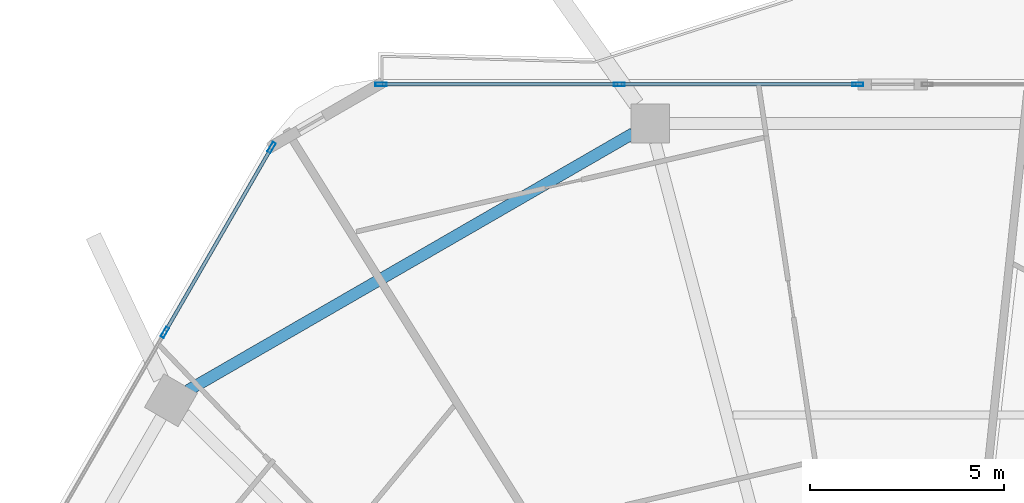
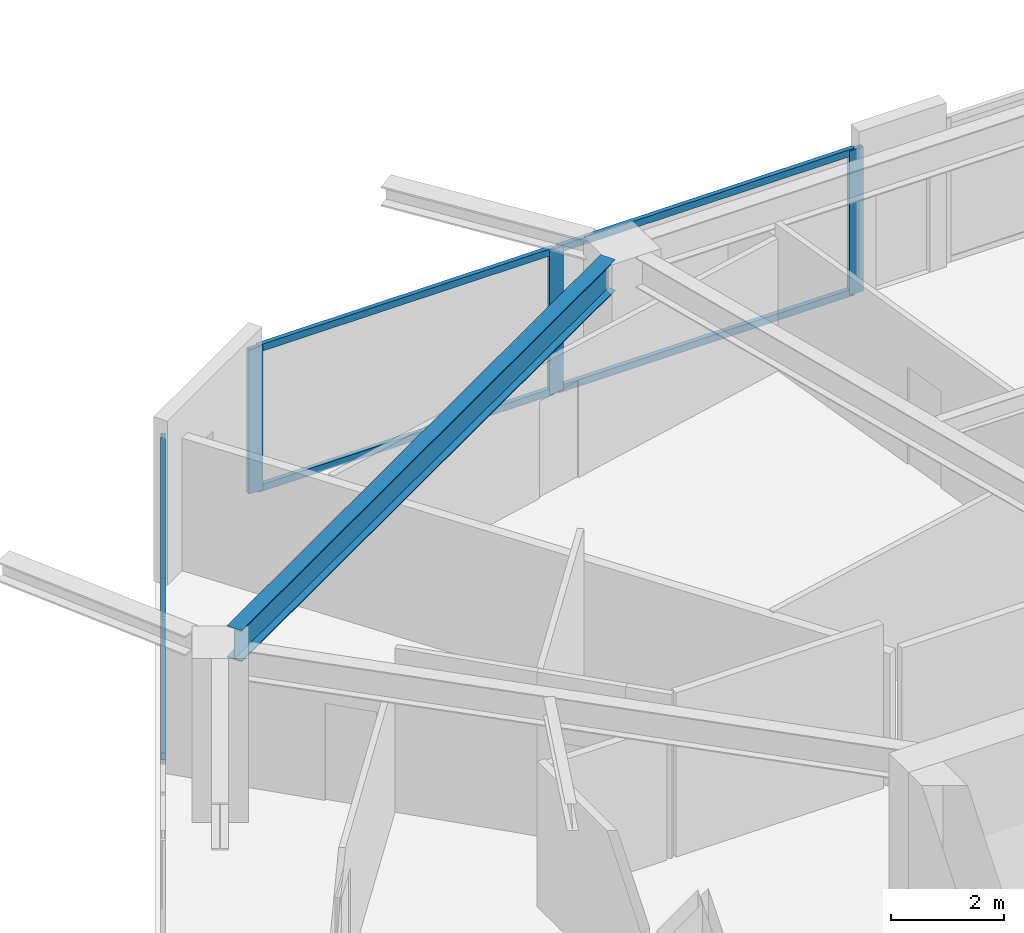
# One storey, part 13 of 27: 11 members, 1 beam, 2 elements without a shape of their own.
"""IFC4 building model written with IfcOpenShell, lengths in metres."""

from ifc_helpers import new_model, si_unit, direction, frame, origin, origin_2d, place, context, subcontext, project, spatial, hollow_rectangle, i_section, extrude, material, material_profile, profile_set, type_object, element, aggregate, save


model = new_model("IFC4")

# Units and contexts
model_context = context("Model", 3, precision=1e-05, world=origin(), true_north=direction((0.0, 1.0)))
body_context = subcontext(model_context, "Body", "Model", "MODEL_VIEW")
ifc_project = project(units=[si_unit("LENGTHUNIT", "METRE"), si_unit("AREAUNIT", "SQUARE_METRE"), si_unit("VOLUMEUNIT", "CUBIC_METRE"), si_unit("PLANEANGLEUNIT", "RADIAN"), si_unit("MASSUNIT", "GRAM", prefix="KILO")], contexts=[model_context])

# Site, building, storey
site_placement = place(None, origin())
site = spatial("IfcSite", under=ifc_project, at=site_placement, CompositionType="ELEMENT")
building_placement = place(site_placement, origin())
building = spatial("IfcBuilding", under=site, at=building_placement, Name="Zuhravey Tower", CompositionType="ELEMENT")
storey_placement = place(building_placement, frame((0.0, 0.0, 173.199951171875)))
storey = spatial("IfcBuildingStorey", under=building, at=storey_placement, Name="L43", CompositionType="ELEMENT", Elevation=173.199951171875)

# Curtain wall, members
ifc_material_1 = material(Name="Thermally broken anodised aluminium", Category="aluminium")
curtain_wall_type = type_object("IfcCurtainWallType", Name="Zone 1-2 Residential Curtain Wall CW3", PredefinedType="NOTDEFINED", material=ifc_material_1)
curtain_wall_1_placement = place(storey_placement, origin())
curtain_wall_1 = element("IfcCurtainWall", 1, at=curtain_wall_1_placement, inside=storey, type_object=curtain_wall_type, Name="L43 CW3 CW-L43-F3-1", PredefinedType="NOTDEFINED")
ifc_material_2 = material(Name="Anodised aluminium", Category="aluminium")
ifc_material_profile_1 = material_profile(ifc_material_2, hollow_rectangle(XDim=0.090087890625, YDim=0.284912109375, WallThickness=0.0048828125, at=origin_2d()), Name="ALU-RHS-90x285x5")
ifc_profile_set_1 = profile_set([ifc_material_profile_1], Name="Anodised aluminium")
member_type_1 = type_object("IfcMemberType", Name="Curtain-Wall Mullion 90x180", PredefinedType="MULLION", material=ifc_profile_set_1)
member_1_placement = place(storey_placement, frame((16.6171875, 52.7939453125, 0.0), z_axis=(0.0, 0.0, 1.0), x_axis=(-0.866025138215, 0.500000459979, 0.0)))
member_1 = element("IfcMember", 2, at=member_1_placement, type_object=member_type_1, Name="CW3 mullion 5", PredefinedType="MULLION", context=body_context, shape_type="SweptSolid", body=[
    extrude(hollow_rectangle(XDim=0.090087890625, YDim=0.284912109375, WallThickness=0.0048828125, at=origin_2d()), origin(), (0.0, 0.0, 1.0), 3.1220703125),
])
member_2_placement = place(storey_placement, frame((19.36669921875, 57.556640625, 0.0), z_axis=(0.0, 0.0, 1.0), x_axis=(-0.866025138215, 0.500000459979, 0.0)))
member_2 = element("IfcMember", 3, at=member_2_placement, type_object=member_type_1, Name="CW3 mullion 6", PredefinedType="MULLION", context=body_context, shape_type="SweptSolid", body=[
    extrude(hollow_rectangle(XDim=0.090087890625, YDim=0.284912109375, WallThickness=0.0048828125, at=origin_2d()), origin(), (0.0, 0.0, 1.0), 3.1220703125),
])

curtain_wall_2_placement = place(storey_placement, origin())
curtain_wall_2 = element("IfcCurtainWall", 4, at=curtain_wall_2_placement, inside=storey, type_object=curtain_wall_type, Name="L43 CW3 CW-L43-F2-1", PredefinedType="NOTDEFINED")
member_3_placement = place(storey_placement, frame((22.183837890625, 59.18310546875, 0.0), z_axis=(0.0, 0.0, 1.0), x_axis=(0.0, 1.0, 0.0)))
member_3 = element("IfcMember", 5, at=member_3_placement, type_object=member_type_1, Name="CW3 mullion 1", PredefinedType="MULLION", context=body_context, shape_type="SweptSolid", body=[
    extrude(hollow_rectangle(XDim=0.090087890625, YDim=0.284912109375, WallThickness=0.0048828125, at=origin_2d()), origin(), (0.0, 0.0, 1.0), 3.1220703125),
])
member_4_placement = place(storey_placement, frame((28.325927734375, 59.18310546875, 0.0), z_axis=(0.0, 0.0, 1.0), x_axis=(0.0, 1.0, 0.0)))
member_4 = element("IfcMember", 6, at=member_4_placement, type_object=member_type_1, Name="CW3 mullion 2", PredefinedType="MULLION", context=body_context, shape_type="SweptSolid", body=[
    extrude(hollow_rectangle(XDim=0.090087890625, YDim=0.284912109375, WallThickness=0.0048828125, at=origin_2d()), origin(), (0.0, 0.0, 1.0), 3.1220703125),
])
member_5_placement = place(storey_placement, frame((34.468017578125, 59.18310546875, 0.0), z_axis=(0.0, 0.0, 1.0), x_axis=(0.0, 1.0, 0.0)))
member_5 = element("IfcMember", 7, at=member_5_placement, type_object=member_type_1, Name="CW3 mullion 3", PredefinedType="MULLION", context=body_context, shape_type="SweptSolid", body=[
    extrude(hollow_rectangle(XDim=0.090087890625, YDim=0.284912109375, WallThickness=0.0048828125, at=origin_2d()), origin(), (0.0, 0.0, 1.0), 3.1220703125),
])

# Member
ifc_material_profile_2 = material_profile(ifc_material_2, hollow_rectangle(XDim=0.090087890625, YDim=0.14990234375, WallThickness=0.0048828125, at=origin_2d()), Name="ALU-RHS-90x150x5")
ifc_profile_set_2 = profile_set([ifc_material_profile_2], Name="Anodised aluminium")
member_type_2 = type_object("IfcMemberType", Name="Curtain-Wall Transom 90x150", PredefinedType="USERDEFINED", material=ifc_profile_set_2)
member_6_placement = place(storey_placement, frame((16.6396484375, 52.8330078125, 0.045166015625), z_axis=(0.499993332629, 0.866029253159, 0.0), x_axis=(-0.866029253159, 0.499993332629, 0.0)))
member_6 = element("IfcMember", 8, at=member_6_placement, type_object=member_type_2, Name="CW3 transom 5.1", ObjectType="TRANSOM", PredefinedType="USERDEFINED", context=body_context, shape_type="SweptSolid", body=[
    extrude(hollow_rectangle(XDim=0.090087890625, YDim=0.14990234375, WallThickness=0.0048828125, at=origin_2d()), origin(), (0.0, 0.0, 1.0), 5.4091796875),
])

member_7_placement = place(storey_placement, frame((16.6396484375, 52.8330078125, 3.0771484375), z_axis=(0.499993332629, 0.866029253159, 0.0), x_axis=(-0.866029253159, 0.499993332629, 0.0)))
member_7 = element("IfcMember", 9, at=member_7_placement, type_object=member_type_2, Name="CW3 transom 5.2", ObjectType="TRANSOM", PredefinedType="USERDEFINED", context=body_context, shape_type="SweptSolid", body=[
    extrude(hollow_rectangle(XDim=0.090087890625, YDim=0.14990234375, WallThickness=0.0048828125, at=origin_2d()), origin(), (0.0, 0.0, 1.0), 5.4091796875),
])

aggregate(curtain_wall_1, [member_1, member_2, member_6, member_7])

member_8_placement = place(storey_placement, frame((22.22900390625, 59.18310546875, 0.045166015625), z_axis=(1.0, 0.0, 0.0), x_axis=(0.0, 1.0, 0.0)))
member_8 = element("IfcMember", 10, at=member_8_placement, type_object=member_type_2, Name="CW3 transom 1.1", ObjectType="TRANSOM", PredefinedType="USERDEFINED", context=body_context, shape_type="SweptSolid", body=[
    extrude(hollow_rectangle(XDim=0.090087890625, YDim=0.14990234375, WallThickness=0.0048828125, at=origin_2d()), origin(), (0.0, 0.0, 1.0), 6.052001953125),
])

member_9_placement = place(storey_placement, frame((22.22900390625, 59.18310546875, 3.0771484375), z_axis=(1.0, 0.0, 0.0), x_axis=(0.0, 1.0, 0.0)))
member_9 = element("IfcMember", 11, at=member_9_placement, type_object=member_type_2, Name="CW3 transom 1.2", ObjectType="TRANSOM", PredefinedType="USERDEFINED", context=body_context, shape_type="SweptSolid", body=[
    extrude(hollow_rectangle(XDim=0.090087890625, YDim=0.14990234375, WallThickness=0.0048828125, at=origin_2d()), origin(), (0.0, 0.0, 1.0), 6.052001953125),
])

member_10_placement = place(storey_placement, frame((28.37109375, 59.18310546875, 0.045166015625), z_axis=(1.0, 0.0, 0.0), x_axis=(0.0, 1.0, 0.0)))
member_10 = element("IfcMember", 12, at=member_10_placement, type_object=member_type_2, Name="CW3 transom 2.1", ObjectType="TRANSOM", PredefinedType="USERDEFINED", context=body_context, shape_type="SweptSolid", body=[
    extrude(hollow_rectangle(XDim=0.090087890625, YDim=0.14990234375, WallThickness=0.0048828125, at=origin_2d()), origin(), (0.0, 0.0, 1.0), 6.052001953125),
])

member_11_placement = place(storey_placement, frame((28.37109375, 59.18310546875, 3.0771484375), z_axis=(1.0, 0.0, 0.0), x_axis=(0.0, 1.0, 0.0)))
member_11 = element("IfcMember", 13, at=member_11_placement, type_object=member_type_2, Name="CW3 transom 2.2", ObjectType="TRANSOM", PredefinedType="USERDEFINED", context=body_context, shape_type="SweptSolid", body=[
    extrude(hollow_rectangle(XDim=0.090087890625, YDim=0.14990234375, WallThickness=0.0048828125, at=origin_2d()), origin(), (0.0, 0.0, 1.0), 6.052001953125),
])

aggregate(curtain_wall_2, [member_3, member_4, member_5, member_8, member_9, member_10, member_11])

# Beam
ifc_material_3 = material(Name="Steel SM355", Category="steel")
ifc_material_profile_3 = material_profile(ifc_material_3, i_section(OverallWidth=0.300048828125, OverallDepth=0.679931640625, WebThickness=0.012939453125, FlangeThickness=0.02197265625, at=origin_2d()), Name="H-680x300x13x22")
ifc_profile_set_3 = profile_set([ifc_material_profile_3], Name="Steel SM355")
beam_type = type_object("IfcBeamType", Name="Perimeter Ring Beam H680x300", PredefinedType="BEAM", material=ifc_profile_set_3)
beam_placement = place(storey_placement, frame((28.682373046875, 57.921630859375, 3.2099609375), z_axis=(-0.866022923061, -0.500004296715, 0.0), x_axis=(0.500004296715, -0.866022923061, 0.0)))
element("IfcBeam", 14, at=beam_placement, inside=storey, type_object=beam_type, Name="L43 PB2 BM-L43-PB-04", PredefinedType="BEAM", context=body_context, shape_type="SweptSolid", body=[
    extrude(i_section(OverallWidth=0.300048828125, OverallDepth=0.679931640625, WebThickness=0.012939453125, FlangeThickness=0.02197265625, at=origin_2d()), origin(), (0.0, 0.0, 1.0), 13.2470703125),
])

save(model, "model.ifc")
